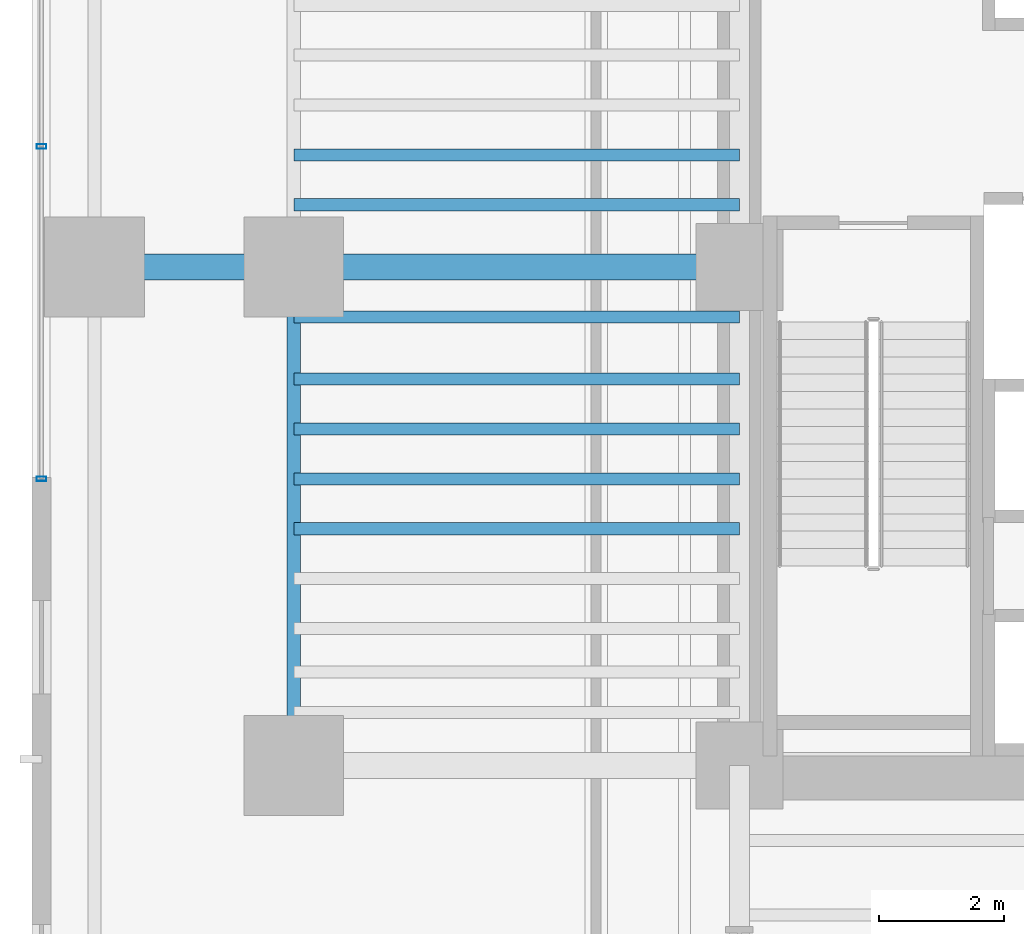
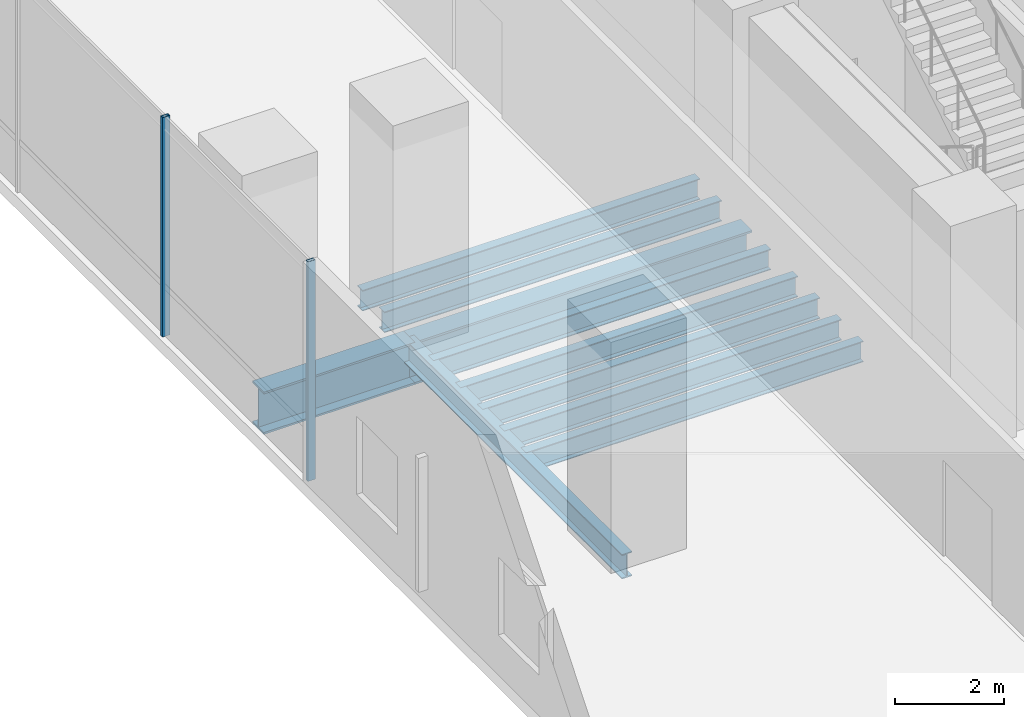
# One storey, part 2 of 39: 10 beams, 2 members, 1 element without a shape of its own.
"""IFC4 building model written with IfcOpenShell, lengths in metres."""

from ifc_helpers import new_model, si_unit, direction, frame, origin, origin_2d, place, context, subcontext, project, spatial, hollow_rectangle, i_section, extrude, source, transform, mapped, material, material_profile, profile_set, type_object, element, aggregate, save


model = new_model("IFC4")

# Units and contexts
model_context = context("Model", 3, precision=1e-05, world=origin(), true_north=direction((0.0, 1.0)))
body_context = subcontext(model_context, "Body", "Model", "MODEL_VIEW")
ifc_project = project(units=[si_unit("LENGTHUNIT", "METRE"), si_unit("AREAUNIT", "SQUARE_METRE"), si_unit("VOLUMEUNIT", "CUBIC_METRE"), si_unit("PLANEANGLEUNIT", "RADIAN"), si_unit("MASSUNIT", "GRAM", prefix="KILO")], contexts=[model_context])

# Site, building, storey
site_placement = place(None, origin())
site = spatial("IfcSite", under=ifc_project, at=site_placement, CompositionType="ELEMENT")
building_placement = place(site_placement, origin())
building = spatial("IfcBuilding", under=site, at=building_placement, Name="Valdorenza Pilgrim Sanctuary Tower", CompositionType="ELEMENT")
storey_placement = place(building_placement, frame((0.0, 0.0, 5.199951171875)))
storey = spatial("IfcBuildingStorey", under=building, at=storey_placement, Name="L01", CompositionType="ELEMENT", Elevation=5.199951171875)

# Beams
ifc_material_1 = material(Name="Steel ASTM A992 Grade 50", Category="steel")
ifc_material_profile_1 = material_profile(ifc_material_1, i_section(OverallWidth=0.423095703125, OverallDepth=0.947998046875, WebThickness=0.02392578125, FlangeThickness=0.042724609375, at=origin_2d()), Name="W36X302")
ifc_profile_set_1 = profile_set([ifc_material_profile_1], Name="Steel ASTM A992 Grade 50")
beam_type_1 = type_object("IfcBeamType", Name="STR-BM-GRD-W36A", PredefinedType="BEAM", material=ifc_profile_set_1)
shared_shape_1 = source(origin(), body_context, "Body", "SweptSolid", [
    extrude(i_section(OverallWidth=0.423095703125, OverallDepth=0.947998046875, WebThickness=0.02392578125, FlangeThickness=0.042724609375, at=origin_2d()), origin(), (0.0, 0.0, 1.0), 7.150146484375),
])
beam_1_placement = place(storey_placement, frame((-29.800048828125, -2.60009765625, -0.75390625), z_axis=(1.0, 0.0, 0.0), x_axis=(0.0, 1.0, 0.0)))
element("IfcBeam", 1, at=beam_1_placement, inside=storey, type_object=beam_type_1, Name="L01 Floor Girder WA-XW-M0", PredefinedType="BEAM", context=body_context, shape_type="MappedRepresentation", body=[
    mapped(shared_shape_1, transform((0.0, 0.0, 0.0), x_axis=(1.0, 0.0, 0.0), y_axis=(0.0, 1.0, 0.0), z_axis=(0.0, 0.0, 1.0), scale=1.0)),
])
ifc_material_profile_2 = material_profile(ifc_material_1, i_section(OverallWidth=0.214111328125, OverallDepth=0.549072265625, WebThickness=0.0146484375, FlangeThickness=0.023681640625, at=origin_2d()), Name="W21X93")
ifc_profile_set_2 = profile_set([ifc_material_profile_2], Name="Steel ASTM A992 Grade 50")
beam_type_2 = type_object("IfcBeamType", Name="STR-BM-SPN-W21A", PredefinedType="SPANDREL", material=ifc_profile_set_2)
shared_shape_2 = source(origin(), body_context, "Body", "SweptSolid", [
    extrude(i_section(OverallWidth=0.214111328125, OverallDepth=0.549072265625, WebThickness=0.0146484375, FlangeThickness=0.023681640625, at=origin_2d()), origin(), (0.0, 0.0, 1.0), 8.0),
])
beam_2_placement = place(storey_placement, frame((-29.800048828125, -10.60009765625, -0.554443359375), z_axis=(0.0, 1.0, 0.0), x_axis=(-1.0, 0.0, 0.0)))
element("IfcBeam", 2, at=beam_2_placement, inside=storey, type_object=beam_type_2, Name="L01 Spandrel Beam WA-W-S1M0", PredefinedType="SPANDREL", context=body_context, shape_type="MappedRepresentation", body=[
    mapped(shared_shape_2, transform((0.0, 0.0, 0.0), x_axis=(1.0, 0.0, 0.0), y_axis=(0.0, 1.0, 0.0), z_axis=(0.0, 0.0, 1.0), scale=1.0)),
])
ifc_material_profile_3 = material_profile(ifc_material_1, i_section(OverallWidth=0.193115234375, OverallDepth=0.466064453125, WebThickness=0.011474609375, FlangeThickness=0.01904296875, at=origin_2d()), Name="W18X65")
ifc_profile_set_3 = profile_set([ifc_material_profile_3], Name="Steel ASTM A992 Grade 50")
beam_type_3 = type_object("IfcBeamType", Name="STR-BM-JST-W18A", PredefinedType="JOIST", material=ifc_profile_set_3)
shared_shape_3 = source(origin(), body_context, "Body", "SweptSolid", [
    extrude(i_section(OverallWidth=0.193115234375, OverallDepth=0.466064453125, WebThickness=0.011474609375, FlangeThickness=0.01904296875, at=origin_2d()), origin(), (0.0, 0.0, 1.0), 7.150146484375),
])
for number, where, z_axis, x_axis, name in (
    (3, (-29.800048828125, -6.800048828125, -0.512939453125), (1.0, 0.0, 0.0), (0.0, 1.0, 0.0), "L01 Composite Floor Joist JST-WA-5"),
    (4, (-29.800048828125, -6.0, -0.512939453125), (1.0, 0.0, 0.0), (0.0, 1.0, 0.0), "L01 Composite Floor Joist JST-WA-6"),
    (5, (-29.800048828125, -5.199951171875, -0.512939453125), (1.0, 0.0, 0.0), (0.0, 1.0, 0.0), "L01 Composite Floor Joist JST-WA-7"),
    (6, (-29.800048828125, -4.39990234375, -0.512939453125), (1.0, 0.0, 0.0), (0.0, 1.0, 0.0), "L01 Composite Floor Joist JST-WA-8"),
    (7, (-29.800048828125, -3.39990234375, -0.512939453125), (1.0, 0.0, 0.0), (0.0, 1.0, 0.0), "L01 Composite Floor Joist JST-WA-9"),
    (8, (-29.800048828125, -1.60009765625, -0.512939453125), (1.0, 0.0, 0.0), (0.0, 1.0, 0.0), "L01 Composite Floor Joist JST-WA-10"),
    (9, (-29.800048828125, -0.800048828125, -0.512939453125), (1.0, 0.0, 0.0), (0.0, 1.0, 0.0), "L01 Composite Floor Joist JST-WA-11"),
):
    element("IfcBeam", number, at=place(storey_placement, frame(where, z_axis=z_axis, x_axis=x_axis)), inside=storey, type_object=beam_type_3, Name=name, PredefinedType="JOIST", context=body_context, shape_type="MappedRepresentation", body=[
        mapped(shared_shape_3, transform((0.0, 0.0, 0.0), x_axis=(1.0, 0.0, 0.0), y_axis=(0.0, 1.0, 0.0), z_axis=(0.0, 0.0, 1.0), scale=1.0)),
    ])
shared_shape_4 = source(origin(), body_context, "Body", "SweptSolid", [
    extrude(i_section(OverallWidth=0.423095703125, OverallDepth=0.947998046875, WebThickness=0.02392578125, FlangeThickness=0.042724609375, at=origin_2d()), origin(), (0.0, 0.0, 1.0), 3.199951171875),
])
beam_3_placement = place(storey_placement, frame((-33.0, -2.60009765625, -0.75390625), z_axis=(1.0, 0.0, 0.0), x_axis=(0.0, 1.0, 0.0)))
element("IfcBeam", 10, at=beam_3_placement, inside=storey, type_object=beam_type_1, Name="L01 Floor Girder POD-W-M0", PredefinedType="BEAM", context=body_context, shape_type="MappedRepresentation", body=[
    mapped(shared_shape_4, transform((0.0, 0.0, 0.0), x_axis=(1.0, 0.0, 0.0), y_axis=(0.0, 1.0, 0.0), z_axis=(0.0, 0.0, 1.0), scale=1.0)),
])

# Curtain wall, members
ifc_material_2 = material(Name="Curtain-wall IGU glazing", Category="glass")
curtain_wall_type = type_object("IfcCurtainWallType", Name="CW-SYS-01", PredefinedType="NOTDEFINED", material=ifc_material_2)
curtain_wall_placement = place(storey_placement, origin())
curtain_wall = element("IfcCurtainWall", 11, at=curtain_wall_placement, inside=storey, type_object=curtain_wall_type, Name="L01 Curtain Wall CW-POD-L01-WW", PredefinedType="NOTDEFINED")
ifc_material_3 = material(Name="Anodised aluminium AW-6060", Category="aluminium")
ifc_material_profile_4 = material_profile(ifc_material_3, hollow_rectangle(XDim=0.074951171875, YDim=0.159912109375, WallThickness=0.00390625, at=origin_2d()), Name="ALU-M 160x75x4")
ifc_profile_set_4 = profile_set([ifc_material_profile_4], Name="Anodised aluminium AW-6060")
member_type = type_object("IfcMemberType", Name="CW-MUL-01", PredefinedType="MULLION", material=ifc_profile_set_4)
shared_shape_5 = source(origin(), body_context, "Body", "SweptSolid", [
    extrude(hollow_rectangle(XDim=0.074951171875, YDim=0.159912109375, WallThickness=0.00390625, at=origin_2d()), origin(), (0.0, 0.0, 1.0), 4.920166015625),
])
member_1_placement = place(storey_placement, frame((-33.85009765625, -6.0, 0.0), z_axis=(0.0, 0.0, 1.0), x_axis=(0.0, 1.0, 0.0)))
member_1 = element("IfcMember", 12, at=member_1_placement, type_object=member_type, Name="CW-POD-L01-WW Mullion 1", PredefinedType="MULLION", context=body_context, shape_type="MappedRepresentation", body=[
    mapped(shared_shape_5, transform((0.0, 0.0, 0.0), x_axis=(1.0, 0.0, 0.0), y_axis=(0.0, 1.0, 0.0), z_axis=(0.0, 0.0, 1.0), scale=1.0)),
])
member_2_placement = place(storey_placement, frame((-33.85009765625, -0.666748046875, 0.0), z_axis=(0.0, 0.0, 1.0), x_axis=(0.0, 1.0, 0.0)))
member_2 = element("IfcMember", 13, at=member_2_placement, type_object=member_type, Name="CW-POD-L01-WW Mullion 2", PredefinedType="MULLION", context=body_context, shape_type="MappedRepresentation", body=[
    mapped(shared_shape_5, transform((0.0, 0.0, 0.0), x_axis=(1.0, 0.0, 0.0), y_axis=(0.0, 1.0, 0.0), z_axis=(0.0, 0.0, 1.0), scale=1.0)),
])
aggregate(curtain_wall, [member_1, member_2])

save(model, "model.ifc")
